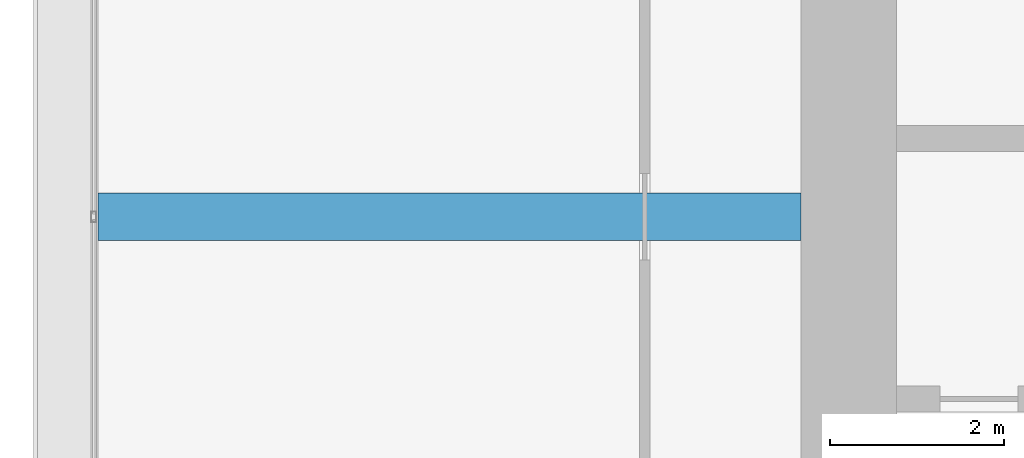
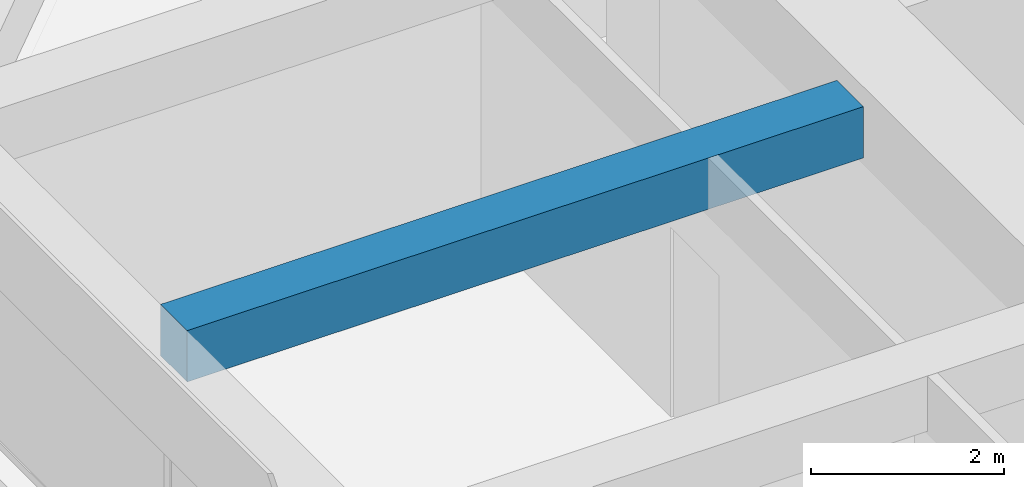
# One storey, part 17 of 44: 1 beam.
"""IFC4 building model written with IfcOpenShell, lengths in metres."""

from ifc_helpers import new_model, si_unit, direction, frame, origin, origin_2d, place, context, subcontext, project, spatial, rectangle, extrude, material, material_profile, profile_set, type_object, element, save


model = new_model("IFC4")

# Units and contexts
model_context = context("Model", 3, precision=1e-05, world=origin(), true_north=direction((0.0, 1.0)))
body_context = subcontext(model_context, "Body", "Model", "MODEL_VIEW")
ifc_project = project(units=[si_unit("LENGTHUNIT", "METRE"), si_unit("AREAUNIT", "SQUARE_METRE"), si_unit("VOLUMEUNIT", "CUBIC_METRE"), si_unit("PLANEANGLEUNIT", "RADIAN"), si_unit("MASSUNIT", "GRAM", prefix="KILO")], contexts=[model_context])

# Site, building, storey
site_placement = place(None, origin())
site = spatial("IfcSite", under=ifc_project, at=site_placement, CompositionType="ELEMENT")
building_placement = place(site_placement, origin())
building = spatial("IfcBuilding", under=site, at=building_placement, Name="Zorevar Civic Tower", CompositionType="ELEMENT")
storey_placement = place(building_placement, frame((0.0, 0.0, 295.39990234375)))
storey = spatial("IfcBuildingStorey", under=building, at=storey_placement, Name="L72", CompositionType="ELEMENT", Elevation=295.39990234375)

# Beam
ifc_material = material(Name="Concrete C50/60", Category="concrete")
ifc_material_profile = material_profile(ifc_material, rectangle(XDim=0.550048828125, YDim=0.64990234375, at=origin_2d()), Name="RC 550x650")
ifc_profile_set = profile_set([ifc_material_profile], Name="Concrete C50/60")
beam_type = type_object("IfcBeamType", Name="Beam RC 550x650", PredefinedType="BEAM", material=ifc_profile_set)
beam_placement = place(storey_placement, frame((9.35009765625, 31.5, 3.425048828125), z_axis=(1.0, 0.0, 0.0), x_axis=(0.0, 1.0, 0.0)))
element("IfcBeam", 1, at=beam_placement, inside=storey, type_object=beam_type, Name="Secondary beam L73", PredefinedType="BEAM", context=body_context, shape_type="SweptSolid", body=[
    extrude(rectangle(XDim=0.550048828125, YDim=0.64990234375, at=origin_2d()), origin(), (0.0, 0.0, 1.0), 8.099853515625),
])

save(model, "model.ifc")
